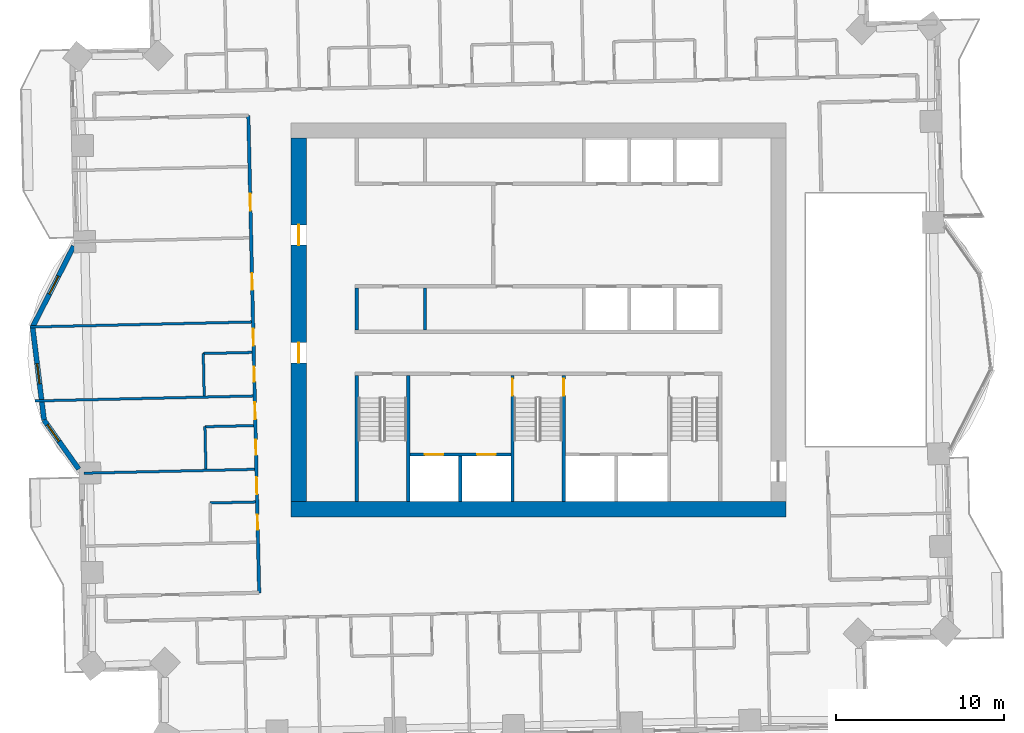
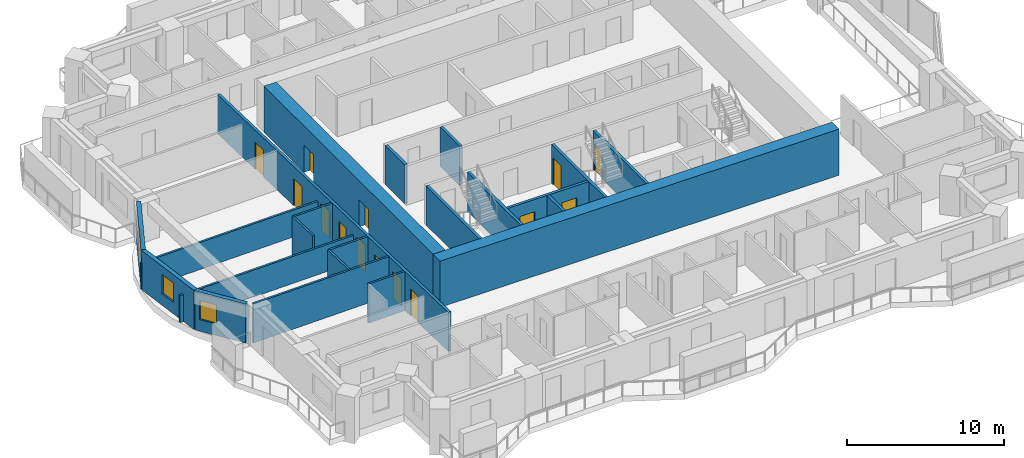
# One storey, part 7 of 16: 22 walls, 14 doors, 3 windows, 17 openings.
"""IFC4 building model written with IfcOpenShell, lengths in metres."""

from ifc_helpers import new_model, si_unit, direction, frame, frame_2d, origin, place, context, subcontext, project, spatial, rectangle, extrude, material, layer, layer_set, type_object, element, fill, save


model = new_model("IFC4")

# Units and contexts
model_context = context("Model", 3, precision=1e-05, world=origin(), true_north=direction((0.0, 1.0)))
body_context = subcontext(model_context, "Body", "Model", "MODEL_VIEW")
ifc_project = project(units=[si_unit("LENGTHUNIT", "METRE"), si_unit("AREAUNIT", "SQUARE_METRE"), si_unit("VOLUMEUNIT", "CUBIC_METRE"), si_unit("PLANEANGLEUNIT", "RADIAN"), si_unit("MASSUNIT", "GRAM", prefix="KILO")], contexts=[model_context])

# Site, building, storey
site_placement = place(None, origin())
site = spatial("IfcSite", under=ifc_project, at=site_placement, CompositionType="ELEMENT")
building_placement = place(site_placement, origin())
building = spatial("IfcBuilding", under=site, at=building_placement, Name="Mangrove Gate Tower", CompositionType="ELEMENT")
storey_placement = place(building_placement, frame((0.0, 0.0, 140.89990234375)))
storey = spatial("IfcBuildingStorey", under=building, at=storey_placement, Name="L35", CompositionType="ELEMENT", Elevation=140.89990234375)

# Walls
ifc_material_1 = material(Name="Concrete C32/40", Category="concrete")
ifc_layer_1 = layer(ifc_material_1, 0.199951171875)
ifc_layer_set_1 = layer_set([ifc_layer_1], Name="Core room wall 200 C32/40")
wall_type_1 = type_object("IfcWallType", Name="Core room wall 200 C32/40", PredefinedType="STANDARD", material=ifc_layer_set_1)
for number, where, z_axis, x_axis, name in (
    (1, (-10.800048828125, -0.60009765625, 0.0), (0.0, 0.0, 1.0), (0.0, 1.0, 0.0), "WALL-L35-CORE-19"),
    (2, (-6.75, -0.60009765625, 0.0), (0.0, 0.0, 1.0), (0.0, 1.0, 0.0), "WALL-L35-CORE-20"),
):
    element("IfcWall", number, at=place(storey_placement, frame(where, z_axis=z_axis, x_axis=x_axis)), inside=storey, type_object=wall_type_1, Name=name, PredefinedType="STANDARD", context=body_context, shape_type="SweptSolid", body=[
        extrude(rectangle(XDim=2.5, YDim=0.199951171875, at=frame_2d((1.25, 0.0))), origin(), (0.0, 0.0, 1.0), 3.050048828125),
    ])

# Wall, openings, doors
ifc_material_2 = material(Name="Concrete C70/85", Category="concrete")
ifc_layer_2 = layer(ifc_material_2, 0.199951171875)
ifc_layer_set_2 = layer_set([ifc_layer_2], Name="Core shaft wall 200 C70/85")
wall_type_2 = type_object("IfcWallType", Name="Core shaft wall 200 C70/85", PredefinedType="SHEAR", material=ifc_layer_set_2)
wall_1_placement = place(storey_placement, frame((-7.64990234375, -8.0, 0.0), z_axis=(0.0, 0.0, 1.0), x_axis=(1.0, 0.0, 0.0)))
wall_1 = element("IfcWall", 3, at=wall_1_placement, inside=storey, type_object=wall_type_2, Name="WALL-L35-CORE-15", PredefinedType="SHEAR", context=body_context, shape_type="SweptSolid", body=[
    extrude(rectangle(XDim=6.0, YDim=0.199951171875, at=frame_2d((3.0, 0.0))), origin(), (0.0, 0.0, 1.0), 3.050048828125),
])
opening_1_placement = place(wall_1_placement, frame((0.89990234375, 0.0, 0.0)))
opening_1 = element("IfcOpeningElement", 4, at=opening_1_placement, cuts=wall_1, Name="Opening LD", PredefinedType="OPENING", context=body_context, shape_type="SweptSolid", body=[
    extrude(rectangle(XDim=1.10009765625, YDim=2.10009765625, at=frame_2d((0.550048828125, 1.050048828125))), frame((0.0, 0.10986328125, 0.0), z_axis=(0.0, -1.0, 0.0), x_axis=(1.0, 0.0, 0.0)), (0.0, 0.0, 1.0), 0.219970703125),
])
opening_2_placement = place(wall_1_placement, frame((4.0, 0.0, 0.0)))
opening_2 = element("IfcOpeningElement", 5, at=opening_2_placement, cuts=wall_1, Name="Opening LD", PredefinedType="OPENING", context=body_context, shape_type="SweptSolid", body=[
    extrude(rectangle(XDim=1.10009765625, YDim=2.10009765625, at=frame_2d((0.550048828125, 1.050048828125))), frame((0.0, 0.10986328125, 0.0), z_axis=(0.0, -1.0, 0.0), x_axis=(1.0, 0.0, 0.0)), (0.0, 0.0, 1.0), 0.219970703125),
])
ifc_material_3 = material(Name="Stainless steel 316", Category="steel")
door_type_1 = type_object("IfcDoorType", Name="Lift landing door 1100x2100", OperationType="SLIDING_TO_LEFT", PredefinedType="DOOR", material=ifc_material_3)
door_1_placement = place(opening_1_placement, origin())
door_1 = element("IfcDoor", 6, at=door_1_placement, inside=storey, type_object=door_type_1, Name="Landing door LD SVL1", OperationType="SLIDING_TO_LEFT", OverallHeight=2.10009765625, OverallWidth=1.10009765625, PredefinedType="DOOR", context=body_context, shape_type="SweptSolid", body=[
    extrude(rectangle(XDim=1.10009765625, YDim=2.10009765625, at=frame_2d((0.550048828125, 1.050048828125))), frame((0.0, 0.02490234375, 0.0), z_axis=(0.0, -1.0, 0.0), x_axis=(1.0, 0.0, 0.0)), (0.0, 0.0, 1.0), 0.050048828125),
])
fill(opening_1, door_1)
door_2_placement = place(opening_2_placement, origin())
door_2 = element("IfcDoor", 7, at=door_2_placement, inside=storey, type_object=door_type_1, Name="Landing door LD SVL2", OperationType="SLIDING_TO_LEFT", OverallHeight=2.10009765625, OverallWidth=1.10009765625, PredefinedType="DOOR", context=body_context, shape_type="SweptSolid", body=[
    extrude(rectangle(XDim=1.10009765625, YDim=2.10009765625, at=frame_2d((0.550048828125, 1.050048828125))), frame((0.0, 0.02490234375, 0.0), z_axis=(0.0, -1.0, 0.0), x_axis=(1.0, 0.0, 0.0)), (0.0, 0.0, 1.0), 0.050048828125),
])
fill(opening_2, door_2)

# Walls
wall_2_placement = place(storey_placement, frame((-4.64990234375, -10.800048828125, 0.0), z_axis=(0.0, 0.0, 1.0), x_axis=(0.0, 1.0, 0.0)))
element("IfcWall", 8, at=wall_2_placement, inside=storey, type_object=wall_type_2, Name="WALL-L35-CORE-16", PredefinedType="SHEAR", context=body_context, shape_type="SweptSolid", body=[
    extrude(rectangle(XDim=2.699951171875, YDim=0.199951171875, at=frame_2d((1.35009765625, 0.0))), origin(), (0.0, 0.0, 1.0), 3.050048828125),
])
ifc_material_4 = material(Name="Concrete C70/85", Category="concrete")
ifc_layer_3 = layer(ifc_material_4, 0.199951171875)
ifc_layer_set_3 = layer_set([ifc_layer_3], Name="Core stair wall 200 C70/85")
wall_type_3 = type_object("IfcWallType", Name="Core stair wall 200 C70/85", PredefinedType="SHEAR", material=ifc_layer_set_3)
for number, where, z_axis, x_axis, name in (
    (9, (-10.800048828125, -10.800048828125, 0.0), (0.0, 0.0, 1.0), (0.0, 1.0, 0.0), "WALL-L35-CORE-9"),
    (10, (-7.75, -10.800048828125, 0.0), (0.0, 0.0, 1.0), (0.0, 1.0, 0.0), "WALL-L35-CORE-10"),
):
    element("IfcWall", number, at=place(storey_placement, frame(where, z_axis=z_axis, x_axis=x_axis)), inside=storey, type_object=wall_type_3, Name=name, PredefinedType="SHEAR", context=body_context, shape_type="SweptSolid", body=[
        extrude(rectangle(XDim=7.5, YDim=0.199951171875, at=frame_2d((3.75, 0.0))), origin(), (0.0, 0.0, 1.0), 3.050048828125),
    ])

# Wall, opening, door
wall_3_placement = place(storey_placement, frame((-1.550048828125, -10.800048828125, 0.0), z_axis=(0.0, 0.0, 1.0), x_axis=(0.0, 1.0, 0.0)))
wall_3 = element("IfcWall", 11, at=wall_3_placement, inside=storey, type_object=wall_type_3, Name="WALL-L35-CORE-11", PredefinedType="SHEAR", context=body_context, shape_type="SweptSolid", body=[
    extrude(rectangle(XDim=7.5, YDim=0.199951171875, at=frame_2d((3.75, 0.0))), origin(), (0.0, 0.0, 1.0), 3.050048828125),
])
opening_3_placement = place(wall_3_placement, frame((6.300048828125, 0.0, 0.0)))
opening_3 = element("IfcOpeningElement", 12, at=opening_3_placement, cuts=wall_3, Name="Opening STD10", PredefinedType="OPENING", context=body_context, shape_type="SweptSolid", body=[
    extrude(rectangle(XDim=1.0, YDim=2.10009765625, at=frame_2d((0.5, 1.050048828125))), frame((0.0, 0.10986328125, 0.0), z_axis=(0.0, -1.0, 0.0), x_axis=(1.0, 0.0, 0.0)), (0.0, 0.0, 1.0), 0.219970703125),
])
ifc_material_5 = material(Name="Fire-rated steel door set", Category="steel")
door_type_2 = type_object("IfcDoorType", Name="Stair door FD60 1000x2100", OperationType="SINGLE_SWING_RIGHT", PredefinedType="DOOR", material=ifc_material_5)
door_3_placement = place(opening_3_placement, origin())
door_3 = element("IfcDoor", 13, at=door_3_placement, inside=storey, type_object=door_type_2, Name="Stair door Stair 2 from service lobby", OperationType="SINGLE_SWING_RIGHT", OverallHeight=2.10009765625, OverallWidth=1.0, PredefinedType="DOOR", context=body_context, shape_type="SweptSolid", body=[
    extrude(rectangle(XDim=1.0, YDim=2.10009765625, at=frame_2d((0.5, 1.050048828125))), frame((0.0, 0.02490234375, 0.0), z_axis=(0.0, -1.0, 0.0), x_axis=(1.0, 0.0, 0.0)), (0.0, 0.0, 1.0), 0.050048828125),
])
fill(opening_3, door_3)

wall_4_placement = place(storey_placement, frame((1.5, -10.800048828125, 0.0), z_axis=(0.0, 0.0, 1.0), x_axis=(0.0, 1.0, 0.0)))
wall_4 = element("IfcWall", 14, at=wall_4_placement, inside=storey, type_object=wall_type_3, Name="WALL-L35-CORE-12", PredefinedType="SHEAR", context=body_context, shape_type="SweptSolid", body=[
    extrude(rectangle(XDim=7.5, YDim=0.199951171875, at=frame_2d((3.75, 0.0))), origin(), (0.0, 0.0, 1.0), 3.050048828125),
])
opening_4_placement = place(wall_4_placement, frame((6.300048828125, 0.0, 0.0)))
opening_4 = element("IfcOpeningElement", 15, at=opening_4_placement, cuts=wall_4, Name="Opening STD10", PredefinedType="OPENING", context=body_context, shape_type="SweptSolid", body=[
    extrude(rectangle(XDim=1.0, YDim=2.10009765625, at=frame_2d((0.5, 1.050048828125))), frame((0.0, 0.10986328125, 0.0), z_axis=(0.0, -1.0, 0.0), x_axis=(1.0, 0.0, 0.0)), (0.0, 0.0, 1.0), 0.219970703125),
])
door_4_placement = place(opening_4_placement, origin())
door_4 = element("IfcDoor", 16, at=door_4_placement, inside=storey, type_object=door_type_2, Name="Stair door Stair 2 from fire-fighting lobby", OperationType="SINGLE_SWING_RIGHT", OverallHeight=2.10009765625, OverallWidth=1.0, PredefinedType="DOOR", context=body_context, shape_type="SweptSolid", body=[
    extrude(rectangle(XDim=1.0, YDim=2.10009765625, at=frame_2d((0.5, 1.050048828125))), frame((0.0, 0.02490234375, 0.0), z_axis=(0.0, -1.0, 0.0), x_axis=(1.0, 0.0, 0.0)), (0.0, 0.0, 1.0), 0.050048828125),
])
fill(opening_4, door_4)

# Wall
ifc_material_6 = material(Name="Concrete C70/85", Category="concrete")
ifc_layer_4 = layer(ifc_material_6, 0.89990234375)
ifc_layer_set_4 = layer_set([ifc_layer_4], Name="Core wall 900 C70/85")
wall_type_4 = type_object("IfcWallType", Name="Core wall 900 C70/85", PredefinedType="SHEAR", material=ifc_layer_set_4)
wall_5_placement = place(storey_placement, frame((-14.699951171875, -11.25, 0.0), z_axis=(0.0, 0.0, 1.0), x_axis=(1.0, 0.0, 0.0)))
element("IfcWall", 17, at=wall_5_placement, inside=storey, type_object=wall_type_4, Name="WALL-L35-CORE-1", PredefinedType="SHEAR", context=body_context, shape_type="SweptSolid", body=[
    extrude(rectangle(XDim=29.39990234375, YDim=0.89990234375, at=frame_2d((14.699951171875, 0.0))), origin(), (0.0, 0.0, 1.0), 3.60009765625),
])

# Wall, openings, doors
wall_6_placement = place(storey_placement, frame((-14.25, -10.800048828125, 0.0), z_axis=(0.0, 0.0, 1.0), x_axis=(0.0, 1.0, 0.0)))
wall_6 = element("IfcWall", 18, at=wall_6_placement, inside=storey, type_object=wall_type_4, Name="WALL-L35-CORE-3", PredefinedType="SHEAR", context=body_context, shape_type="SweptSolid", body=[
    extrude(rectangle(XDim=21.60009765625, YDim=0.89990234375, at=frame_2d((10.800048828125, 0.0))), origin(), (0.0, 0.0, 1.0), 3.60009765625),
])
opening_5_placement = place(wall_6_placement, frame((8.25, 0.0, 0.0)))
opening_5 = element("IfcOpeningElement", 19, at=opening_5_placement, cuts=wall_6, Name="Opening CD", PredefinedType="OPENING", context=body_context, shape_type="SweptSolid", body=[
    extrude(rectangle(XDim=1.199951171875, YDim=2.10009765625, at=frame_2d((0.60009765625, 1.050048828125))), frame((0.0, 0.4599609375, 0.0), z_axis=(0.0, -1.0, 0.0), x_axis=(1.0, 0.0, 0.0)), (0.0, 0.0, 1.0), 0.919921875),
])
opening_6_placement = place(wall_6_placement, frame((15.25, 0.0, 0.0)))
opening_6 = element("IfcOpeningElement", 20, at=opening_6_placement, cuts=wall_6, Name="Opening CD", PredefinedType="OPENING", context=body_context, shape_type="SweptSolid", body=[
    extrude(rectangle(XDim=1.199951171875, YDim=2.10009765625, at=frame_2d((0.60009765625, 1.050048828125))), frame((0.0, 0.4599609375, 0.0), z_axis=(0.0, -1.0, 0.0), x_axis=(1.0, 0.0, 0.0)), (0.0, 0.0, 1.0), 0.919921875),
])
ifc_material_7 = material(Name="Fire-rated steel door set", Category="steel")
door_type_3 = type_object("IfcDoorType", Name="Core ring door FD60 1200x2100", OperationType="DOUBLE_DOOR_SINGLE_SWING", PredefinedType="DOOR", material=ifc_material_7)
door_5_placement = place(opening_5_placement, origin())
door_5 = element("IfcDoor", 21, at=door_5_placement, inside=storey, type_object=door_type_3, Name="Core ring door W1", OperationType="DOUBLE_DOOR_SINGLE_SWING", OverallHeight=2.10009765625, OverallWidth=1.199951171875, PredefinedType="DOOR", context=body_context, shape_type="SweptSolid", body=[
    extrude(rectangle(XDim=1.199951171875, YDim=2.10009765625, at=frame_2d((0.60009765625, 1.050048828125))), frame((0.0, 0.02490234375, 0.0), z_axis=(0.0, -1.0, 0.0), x_axis=(1.0, 0.0, 0.0)), (0.0, 0.0, 1.0), 0.050048828125),
])
fill(opening_5, door_5)
door_6_placement = place(opening_6_placement, origin())
door_6 = element("IfcDoor", 22, at=door_6_placement, inside=storey, type_object=door_type_3, Name="Core ring door W2", OperationType="DOUBLE_DOOR_SINGLE_SWING", OverallHeight=2.10009765625, OverallWidth=1.199951171875, PredefinedType="DOOR", context=body_context, shape_type="SweptSolid", body=[
    extrude(rectangle(XDim=1.199951171875, YDim=2.10009765625, at=frame_2d((0.60009765625, 1.050048828125))), frame((0.0, 0.02490234375, 0.0), z_axis=(0.0, -1.0, 0.0), x_axis=(1.0, 0.0, 0.0)), (0.0, 0.0, 1.0), 0.050048828125),
])
fill(opening_6, door_6)

ifc_material_8 = material(Name="Gypsum board on steel stud, EI 60", Category="steel")
ifc_layer_5 = layer(ifc_material_8, 0.199951171875)
ifc_layer_set_5 = layer_set([ifc_layer_5], Name="Corridor wall EI 60")
wall_type_5 = type_object("IfcWallType", Name="Corridor wall EI 60", PredefinedType="PARTITIONING", material=ifc_layer_set_5)
wall_7_placement = place(storey_placement, frame((-16.60302734375, -16.218017578125, 0.0), z_axis=(0.0, 0.0, 1.0), x_axis=(-0.022698146637, 0.999742363881, 0.0)))
wall_7 = element("IfcWall", 23, at=wall_7_placement, inside=storey, type_object=wall_type_5, Name="WALL-L35-029", PredefinedType="PARTITIONING", context=body_context, shape_type="SweptSolid", body=[
    extrude(rectangle(XDim=28.374267578125, YDim=0.199951171875, at=frame_2d((14.18701171875, 0.0))), origin(), (0.0, 0.0, 1.0), 3.050048828125),
])
opening_7_placement = place(wall_7_placement, frame((22.72412109375, 0.0, 0.0)))
opening_7 = element("IfcOpeningElement", 24, at=opening_7_placement, cuts=wall_7, Name="Opening AD", PredefinedType="OPENING", context=body_context, shape_type="SweptSolid", body=[
    extrude(rectangle(XDim=1.0, YDim=2.10009765625, at=frame_2d((0.5, 1.050048828125))), frame((0.0, 0.10986328125, 0.0), z_axis=(0.0, -1.0, 0.0), x_axis=(1.0, 0.0, 0.0)), (0.0, 0.0, 1.0), 0.219970703125),
])
opening_8_placement = place(wall_7_placement, frame((18.008056640625, 0.0, 0.0)))
opening_8 = element("IfcOpeningElement", 25, at=opening_8_placement, cuts=wall_7, Name="Opening AD", PredefinedType="OPENING", context=body_context, shape_type="SweptSolid", body=[
    extrude(rectangle(XDim=1.0, YDim=2.10009765625, at=frame_2d((0.5, 1.050048828125))), frame((0.0, 0.10986328125, 0.0), z_axis=(0.0, -1.0, 0.0), x_axis=(1.0, 0.0, 0.0)), (0.0, 0.0, 1.0), 0.219970703125),
])
opening_9_placement = place(wall_7_placement, frame((14.698974609375, 0.0, 0.0)))
opening_9 = element("IfcOpeningElement", 26, at=opening_9_placement, cuts=wall_7, Name="Opening AD", PredefinedType="OPENING", context=body_context, shape_type="SweptSolid", body=[
    extrude(rectangle(XDim=1.0, YDim=2.10009765625, at=frame_2d((0.5, 1.050048828125))), frame((0.0, 0.10986328125, 0.0), z_axis=(0.0, -1.0, 0.0), x_axis=(1.0, 0.0, 0.0)), (0.0, 0.0, 1.0), 0.219970703125),
])
opening_10_placement = place(wall_7_placement, frame((12.549072265625, 0.0, 0.0)))
opening_10 = element("IfcOpeningElement", 27, at=opening_10_placement, cuts=wall_7, Name="Opening SD", PredefinedType="OPENING", context=body_context, shape_type="SweptSolid", body=[
    extrude(rectangle(XDim=0.89990234375, YDim=2.10009765625, at=frame_2d((0.449951171875, 1.050048828125))), frame((0.0, 0.10986328125, 0.0), z_axis=(0.0, -1.0, 0.0), x_axis=(1.0, 0.0, 0.0)), (0.0, 0.0, 1.0), 0.219970703125),
])
opening_11_placement = place(wall_7_placement, frame((10.323974609375, 0.0, 0.0)))
opening_11 = element("IfcOpeningElement", 28, at=opening_11_placement, cuts=wall_7, Name="Opening AD", PredefinedType="OPENING", context=body_context, shape_type="SweptSolid", body=[
    extrude(rectangle(XDim=1.0, YDim=2.10009765625, at=frame_2d((0.5, 1.050048828125))), frame((0.0, 0.10986328125, 0.0), z_axis=(0.0, -1.0, 0.0), x_axis=(1.0, 0.0, 0.0)), (0.0, 0.0, 1.0), 0.219970703125),
])
opening_12_placement = place(wall_7_placement, frame((8.198974609375, 0.0, 0.0)))
opening_12 = element("IfcOpeningElement", 29, at=opening_12_placement, cuts=wall_7, Name="Opening SD", PredefinedType="OPENING", context=body_context, shape_type="SweptSolid", body=[
    extrude(rectangle(XDim=0.89990234375, YDim=2.10009765625, at=frame_2d((0.449951171875, 1.050048828125))), frame((0.0, 0.10986328125, 0.0), z_axis=(0.0, -1.0, 0.0), x_axis=(1.0, 0.0, 0.0)), (0.0, 0.0, 1.0), 0.219970703125),
])
opening_13_placement = place(wall_7_placement, frame((5.8740234375, 0.0, 0.0)))
opening_13 = element("IfcOpeningElement", 30, at=opening_13_placement, cuts=wall_7, Name="Opening AD", PredefinedType="OPENING", context=body_context, shape_type="SweptSolid", body=[
    extrude(rectangle(XDim=1.0, YDim=2.10009765625, at=frame_2d((0.5, 1.050048828125))), frame((0.0, 0.10986328125, 0.0), z_axis=(0.0, -1.0, 0.0), x_axis=(1.0, 0.0, 0.0)), (0.0, 0.0, 1.0), 0.219970703125),
])
opening_14_placement = place(wall_7_placement, frame((3.75, 0.0, 0.0)))
opening_14 = element("IfcOpeningElement", 31, at=opening_14_placement, cuts=wall_7, Name="Opening SD", PredefinedType="OPENING", context=body_context, shape_type="SweptSolid", body=[
    extrude(rectangle(XDim=0.89990234375, YDim=2.10009765625, at=frame_2d((0.449951171875, 1.050048828125))), frame((0.0, 0.10986328125, 0.0), z_axis=(0.0, -1.0, 0.0), x_axis=(1.0, 0.0, 0.0)), (0.0, 0.0, 1.0), 0.219970703125),
])
ifc_material_9 = material(Name="Timber door leaf", Category="wood")
door_type_4 = type_object("IfcDoorType", Name="Amenity door 1000", OperationType="SINGLE_SWING_LEFT", PredefinedType="DOOR", material=ifc_material_9)
door_7_placement = place(opening_7_placement, origin())
door_7 = element("IfcDoor", 32, at=door_7_placement, inside=storey, type_object=door_type_4, Name="DOOR-L35-GAM-c5a", OperationType="SINGLE_SWING_LEFT", OverallHeight=2.10009765625, OverallWidth=1.0, PredefinedType="DOOR", context=body_context, shape_type="SweptSolid", body=[
    extrude(rectangle(XDim=1.0, YDim=2.10009765625, at=frame_2d((0.5, 1.050048828125))), frame((0.0, 0.02490234375, 0.0), z_axis=(0.0, -1.0, 0.0), x_axis=(1.0, 0.0, 0.0)), (0.0, 0.0, 1.0), 0.050048828125),
])
fill(opening_7, door_7)
door_8_placement = place(opening_8_placement, origin())
door_8 = element("IfcDoor", 33, at=door_8_placement, inside=storey, type_object=door_type_4, Name="DOOR-L35-KIT-c5a", OperationType="SINGLE_SWING_RIGHT", OverallHeight=2.10009765625, OverallWidth=1.0, PredefinedType="DOOR", context=body_context, shape_type="SweptSolid", body=[
    extrude(rectangle(XDim=1.0, YDim=2.10009765625, at=frame_2d((0.5, 1.050048828125))), frame((0.0, 0.02490234375, 0.0), z_axis=(0.0, -1.0, 0.0), x_axis=(1.0, 0.0, 0.0)), (0.0, 0.0, 1.0), 0.050048828125),
])
fill(opening_8, door_8)
door_9_placement = place(opening_9_placement, origin())
door_9 = element("IfcDoor", 34, at=door_9_placement, inside=storey, type_object=door_type_4, Name="DOOR-L35-STU-c5b", OperationType="SINGLE_SWING_LEFT", OverallHeight=2.10009765625, OverallWidth=1.0, PredefinedType="DOOR", context=body_context, shape_type="SweptSolid", body=[
    extrude(rectangle(XDim=1.0, YDim=2.10009765625, at=frame_2d((0.5, 1.050048828125))), frame((0.0, 0.02490234375, 0.0), z_axis=(0.0, -1.0, 0.0), x_axis=(1.0, 0.0, 0.0)), (0.0, 0.0, 1.0), 0.050048828125),
])
fill(opening_9, door_9)
door_10_placement = place(opening_11_placement, origin())
door_10 = element("IfcDoor", 35, at=door_10_placement, inside=storey, type_object=door_type_4, Name="DOOR-L35-STU-c5c", OperationType="SINGLE_SWING_RIGHT", OverallHeight=2.10009765625, OverallWidth=1.0, PredefinedType="DOOR", context=body_context, shape_type="SweptSolid", body=[
    extrude(rectangle(XDim=1.0, YDim=2.10009765625, at=frame_2d((0.5, 1.050048828125))), frame((0.0, 0.02490234375, 0.0), z_axis=(0.0, -1.0, 0.0), x_axis=(1.0, 0.0, 0.0)), (0.0, 0.0, 1.0), 0.050048828125),
])
fill(opening_11, door_10)
door_11_placement = place(opening_13_placement, origin())
door_11 = element("IfcDoor", 36, at=door_11_placement, inside=storey, type_object=door_type_4, Name="DOOR-L35-GAM-c5b", OperationType="SINGLE_SWING_LEFT", OverallHeight=2.10009765625, OverallWidth=1.0, PredefinedType="DOOR", context=body_context, shape_type="SweptSolid", body=[
    extrude(rectangle(XDim=1.0, YDim=2.10009765625, at=frame_2d((0.5, 1.050048828125))), frame((0.0, 0.02490234375, 0.0), z_axis=(0.0, -1.0, 0.0), x_axis=(1.0, 0.0, 0.0)), (0.0, 0.0, 1.0), 0.050048828125),
])
fill(opening_13, door_11)
ifc_material_10 = material(Name="Timber door leaf", Category="wood")
door_type_5 = type_object("IfcDoorType", Name="Service room door 900", OperationType="SINGLE_SWING_LEFT", PredefinedType="DOOR", material=ifc_material_10)
door_12_placement = place(opening_10_placement, origin())
door_12 = element("IfcDoor", 37, at=door_12_placement, inside=storey, type_object=door_type_5, Name="DOOR-L35-AWC-c5a", OperationType="SINGLE_SWING_LEFT", OverallHeight=2.10009765625, OverallWidth=0.89990234375, PredefinedType="DOOR", context=body_context, shape_type="SweptSolid", body=[
    extrude(rectangle(XDim=0.89990234375, YDim=2.10009765625, at=frame_2d((0.449951171875, 1.050048828125))), frame((0.0, 0.02490234375, 0.0), z_axis=(0.0, -1.0, 0.0), x_axis=(1.0, 0.0, 0.0)), (0.0, 0.0, 1.0), 0.050048828125),
])
fill(opening_10, door_12)
door_13_placement = place(opening_12_placement, origin())
door_13 = element("IfcDoor", 38, at=door_13_placement, inside=storey, type_object=door_type_5, Name="DOOR-L35-AWC-c5b", OperationType="SINGLE_SWING_RIGHT", OverallHeight=2.10009765625, OverallWidth=0.89990234375, PredefinedType="DOOR", context=body_context, shape_type="SweptSolid", body=[
    extrude(rectangle(XDim=0.89990234375, YDim=2.10009765625, at=frame_2d((0.449951171875, 1.050048828125))), frame((0.0, 0.02490234375, 0.0), z_axis=(0.0, -1.0, 0.0), x_axis=(1.0, 0.0, 0.0)), (0.0, 0.0, 1.0), 0.050048828125),
])
fill(opening_12, door_13)
door_14_placement = place(opening_14_placement, origin())
door_14 = element("IfcDoor", 39, at=door_14_placement, inside=storey, type_object=door_type_5, Name="DOOR-L35-WC-c5a", OperationType="SINGLE_SWING_LEFT", OverallHeight=2.10009765625, OverallWidth=0.89990234375, PredefinedType="DOOR", context=body_context, shape_type="SweptSolid", body=[
    extrude(rectangle(XDim=0.89990234375, YDim=2.10009765625, at=frame_2d((0.449951171875, 1.050048828125))), frame((0.0, 0.02490234375, 0.0), z_axis=(0.0, -1.0, 0.0), x_axis=(1.0, 0.0, 0.0)), (0.0, 0.0, 1.0), 0.050048828125),
])
fill(opening_14, door_14)

# Wall, opening, window
ifc_material_11 = material(Name="Limestone", Category="masonry")
ifc_layer_6 = layer(ifc_material_11, 0.0400390625, Name="Limestone cladding")
ifc_material_12 = material(Name="Ventilated air gap")
ifc_layer_7 = layer(ifc_material_12, 0.0400390625, Name="Ventilated cavity")
ifc_material_13 = material(Name="Mineral wool insulation")
ifc_layer_8 = layer(ifc_material_13, 0.06005859375, Name="Insulation")
ifc_material_14 = material(Name="Breather membrane")
ifc_layer_9 = layer(ifc_material_14, 0.001953125, Name="Breather membrane")
ifc_material_15 = material(Name="Concrete C20/25 blockwork", Category="masonry")
ifc_layer_10 = layer(ifc_material_15, 0.14990234375, Name="Blockwork backing wall")
ifc_material_16 = material(Name="Gypsum plaster")
ifc_layer_11 = layer(ifc_material_16, 0.008056640625, Name="Internal plaster")
ifc_layer_set_6 = layer_set([ifc_layer_6, ifc_layer_7, ifc_layer_8, ifc_layer_9, ifc_layer_10, ifc_layer_11], Name="External wall 300 limestone cladding")
wall_type_6 = type_object("IfcWallType", Name="External wall 300 limestone cladding", PredefinedType="SOLIDWALL", material=ifc_layer_set_6)
wall_8_placement = place(storey_placement, frame((-27.625, 4.39208984375, 0.0), z_axis=(0.0, 0.0, 1.0), x_axis=(-0.45268572245, -0.891670138947, 0.0)))
wall_8 = element("IfcWall", 40, at=wall_8_placement, inside=storey, type_object=wall_type_6, Name="WALL-L35-W9f1", PredefinedType="SOLIDWALL", context=body_context, shape_type="SweptSolid", body=[
    extrude(rectangle(XDim=5.399169921875, YDim=0.300048828125, at=frame_2d((2.69970703125, 0.0))), origin(), (0.0, 0.0, 1.0), 3.050048828125),
])
opening_15_placement = place(wall_8_placement, frame((2.008056640625, 0.0, 0.89990234375)))
opening_15 = element("IfcOpeningElement", 41, at=opening_15_placement, cuts=wall_8, Name="Opening W1", PredefinedType="OPENING", context=body_context, shape_type="SweptSolid", body=[
    extrude(rectangle(XDim=1.199951171875, YDim=1.5, at=frame_2d((0.60009765625, 0.75))), frame((0.0, 0.159912109375, 0.0), z_axis=(0.0, -1.0, 0.0), x_axis=(1.0, 0.0, 0.0)), (0.0, 0.0, 1.0), 0.320068359375),
])
ifc_material_17 = material(Name="Aluminium frame with double-glazed low-e glass", Category="aluminium")
window_type = type_object("IfcWindowType", Name="Side lite 1200x1500", PartitioningType="SINGLE_PANEL", PredefinedType="WINDOW", material=ifc_material_17)
window_1_placement = place(opening_15_placement, origin())
window_1 = element("IfcWindow", 42, at=window_1_placement, inside=storey, type_object=window_type, Name="WIN-L35-W9f1", OverallHeight=1.5, OverallWidth=1.199951171875, PartitioningType="SINGLE_PANEL", PredefinedType="WINDOW", context=body_context, shape_type="SweptSolid", body=[
    extrude(rectangle(XDim=1.199951171875, YDim=1.5, at=frame_2d((0.60009765625, 0.75))), frame((0.0, 0.030029296875, 0.0), z_axis=(0.0, -1.0, 0.0), x_axis=(1.0, 0.0, 0.0)), (0.0, 0.0, 1.0), 0.06005859375),
])
fill(opening_15, window_1)

wall_9_placement = place(storey_placement, frame((-30.069091796875, -0.422119140625, 0.0), z_axis=(0.0, 0.0, 1.0), x_axis=(0.122206978992, -0.992504636909, 0.0)))
wall_9 = element("IfcWall", 43, at=wall_9_placement, inside=storey, type_object=wall_type_6, Name="WALL-L35-W9f2", PredefinedType="SOLIDWALL", context=body_context, shape_type="SweptSolid", body=[
    extrude(rectangle(XDim=5.57373046875, YDim=0.300048828125, at=frame_2d((2.786865234375, 0.0))), origin(), (0.0, 0.0, 1.0), 3.050048828125),
])
opening_16_placement = place(wall_9_placement, frame((2.18701171875, 0.0, 0.89990234375)))
opening_16 = element("IfcOpeningElement", 44, at=opening_16_placement, cuts=wall_9, Name="Opening W1", PredefinedType="OPENING", context=body_context, shape_type="SweptSolid", body=[
    extrude(rectangle(XDim=1.199951171875, YDim=1.5, at=frame_2d((0.60009765625, 0.75))), frame((0.0, 0.159912109375, 0.0), z_axis=(0.0, -1.0, 0.0), x_axis=(1.0, 0.0, 0.0)), (0.0, 0.0, 1.0), 0.320068359375),
])
window_2_placement = place(opening_16_placement, origin())
window_2 = element("IfcWindow", 45, at=window_2_placement, inside=storey, type_object=window_type, Name="WIN-L35-W9f2", OverallHeight=1.5, OverallWidth=1.199951171875, PartitioningType="SINGLE_PANEL", PredefinedType="WINDOW", context=body_context, shape_type="SweptSolid", body=[
    extrude(rectangle(XDim=1.199951171875, YDim=1.5, at=frame_2d((0.60009765625, 0.75))), frame((0.0, 0.030029296875, 0.0), z_axis=(0.0, -1.0, 0.0), x_axis=(1.0, 0.0, 0.0)), (0.0, 0.0, 1.0), 0.06005859375),
])
fill(opening_16, window_2)

wall_10_placement = place(storey_placement, frame((-29.387939453125, -5.9541015625, 0.0), z_axis=(0.0, 0.0, 1.0), x_axis=(0.578095163598, -0.815969351033, 0.0)))
wall_10 = element("IfcWall", 46, at=wall_10_placement, inside=storey, type_object=wall_type_6, Name="WALL-L35-W9f3", PredefinedType="SOLIDWALL", context=body_context, shape_type="SweptSolid", body=[
    extrude(rectangle(XDim=3.568603515625, YDim=0.300048828125, at=frame_2d((1.7841796875, 0.0))), origin(), (0.0, 0.0, 1.0), 3.050048828125),
])
opening_17_placement = place(wall_10_placement, frame((0.337890625, 0.0, 0.89990234375)))
opening_17 = element("IfcOpeningElement", 47, at=opening_17_placement, cuts=wall_10, Name="Opening W1", PredefinedType="OPENING", context=body_context, shape_type="SweptSolid", body=[
    extrude(rectangle(XDim=1.199951171875, YDim=1.5, at=frame_2d((0.60009765625, 0.75))), frame((0.0, 0.159912109375, 0.0), z_axis=(0.0, -1.0, 0.0), x_axis=(1.0, 0.0, 0.0)), (0.0, 0.0, 1.0), 0.320068359375),
])
window_3_placement = place(opening_17_placement, origin())
window_3 = element("IfcWindow", 48, at=window_3_placement, inside=storey, type_object=window_type, Name="WIN-L35-W9f3", OverallHeight=1.5, OverallWidth=1.199951171875, PartitioningType="SINGLE_PANEL", PredefinedType="WINDOW", context=body_context, shape_type="SweptSolid", body=[
    extrude(rectangle(XDim=1.199951171875, YDim=1.5, at=frame_2d((0.60009765625, 0.75))), frame((0.0, 0.030029296875, 0.0), z_axis=(0.0, -1.0, 0.0), x_axis=(1.0, 0.0, 0.0)), (0.0, 0.0, 1.0), 0.06005859375),
])
fill(opening_17, window_3)

# Walls
ifc_material_18 = material(Name="Gypsum board on steel stud, EI 60", Category="steel")
ifc_layer_12 = layer(ifc_material_18, 0.14990234375)
ifc_layer_set_7 = layer_set([ifc_layer_12], Name="Party wall 150 EI 60")
wall_type_7 = type_object("IfcWallType", Name="Party wall 150 EI 60", PredefinedType="PARTITIONING", material=ifc_layer_set_7)
wall_11_placement = place(storey_placement, frame((-19.52587890625, -10.87890625, 0.0), z_axis=(0.0, 0.0, 1.0), x_axis=(0.999746436932, 0.022518033722, 0.0)))
element("IfcWall", 49, at=wall_11_placement, inside=storey, type_object=wall_type_7, Name="WALL-L35-038", PredefinedType="PARTITIONING", context=body_context, shape_type="SweptSolid", body=[
    extrude(rectangle(XDim=2.69970703125, YDim=0.14990234375, at=frame_2d((1.349853515625, 0.0))), origin(), (0.0, 0.0, 1.0), 3.050048828125),
])
wall_12_placement = place(storey_placement, frame((-27.010009765625, -9.10791015625, 0.0), z_axis=(0.0, 0.0, 1.0), x_axis=(0.999742841246, 0.022677111331, 0.0)))
element("IfcWall", 50, at=wall_12_placement, inside=storey, type_object=wall_type_7, Name="WALL-L35-039", PredefinedType="PARTITIONING", context=body_context, shape_type="SweptSolid", body=[
    extrude(rectangle(XDim=10.1416015625, YDim=0.14990234375, at=frame_2d((5.07080078125, 0.0))), origin(), (0.0, 0.0, 1.0), 3.050048828125),
])
wall_13_placement = place(storey_placement, frame((-19.77099609375, -8.864013671875, 0.0), z_axis=(0.0, 0.0, 1.0), x_axis=(-0.022532486354, 0.9997461113, 0.0)))
element("IfcWall", 51, at=wall_13_placement, inside=storey, type_object=wall_type_7, Name="WALL-L35-040", PredefinedType="PARTITIONING", context=body_context, shape_type="SweptSolid", body=[
    extrude(rectangle(XDim=2.524658203125, YDim=0.14990234375, at=frame_2d((1.26220703125, 0.0))), origin(), (0.0, 0.0, 1.0), 3.050048828125),
])
wall_14_placement = place(storey_placement, frame((-19.8291015625, -6.344970703125, 0.0), z_axis=(0.0, 0.0, 1.0), x_axis=(0.999741618182, 0.022730967319, 0.0)))
element("IfcWall", 52, at=wall_14_placement, inside=storey, type_object=wall_type_7, Name="WALL-L35-041", PredefinedType="PARTITIONING", context=body_context, shape_type="SweptSolid", body=[
    extrude(rectangle(XDim=2.89990234375, YDim=0.14990234375, at=frame_2d((1.449951171875, 0.0))), origin(), (0.0, 0.0, 1.0), 3.050048828125),
])
wall_15_placement = place(storey_placement, frame((-19.8701171875, -4.514892578125, 0.0), z_axis=(0.0, 0.0, 1.0), x_axis=(-0.022532486354, 0.9997461113, 0.0)))
element("IfcWall", 53, at=wall_15_placement, inside=storey, type_object=wall_type_7, Name="WALL-L35-042", PredefinedType="PARTITIONING", context=body_context, shape_type="SweptSolid", body=[
    extrude(rectangle(XDim=2.524658203125, YDim=0.14990234375, at=frame_2d((1.26220703125, 0.0))), origin(), (0.0, 0.0, 1.0), 3.050048828125),
])
wall_16_placement = place(storey_placement, frame((-29.925048828125, -4.81298828125, 0.0), z_axis=(0.0, 0.0, 1.0), x_axis=(0.999742690772, 0.022683744152, 0.0)))
element("IfcWall", 54, at=wall_16_placement, inside=storey, type_object=wall_type_7, Name="WALL-L35-043", PredefinedType="PARTITIONING", context=body_context, shape_type="SweptSolid", body=[
    extrude(rectangle(XDim=12.95849609375, YDim=0.14990234375, at=frame_2d((6.479248046875, 0.0))), origin(), (0.0, 0.0, 1.0), 2.10009765625),
])
wall_17_placement = place(storey_placement, frame((-19.927978515625, -1.99609375, 0.0), z_axis=(0.0, 0.0, 1.0), x_axis=(0.999739657619, 0.022817032779, 0.0)))
element("IfcWall", 55, at=wall_17_placement, inside=storey, type_object=wall_type_7, Name="WALL-L35-044", PredefinedType="PARTITIONING", context=body_context, shape_type="SweptSolid", body=[
    extrude(rectangle(XDim=2.899658203125, YDim=0.14990234375, at=frame_2d((1.44970703125, 0.0))), origin(), (0.0, 0.0, 1.0), 3.050048828125),
])
wall_18_placement = place(storey_placement, frame((-30.218994140625, -0.4189453125, 0.0), z_axis=(0.0, 0.0, 1.0), x_axis=(0.99974353853, 0.022646349976, 0.0)))
element("IfcWall", 56, at=wall_18_placement, inside=storey, type_object=wall_type_7, Name="WALL-L35-045", PredefinedType="PARTITIONING", context=body_context, shape_type="SweptSolid", body=[
    extrude(rectangle(XDim=13.15234375, YDim=0.14990234375, at=frame_2d((6.576171875, 0.0))), origin(), (0.0, 0.0, 1.0), 2.10009765625),
])

save(model, "model.ifc")
